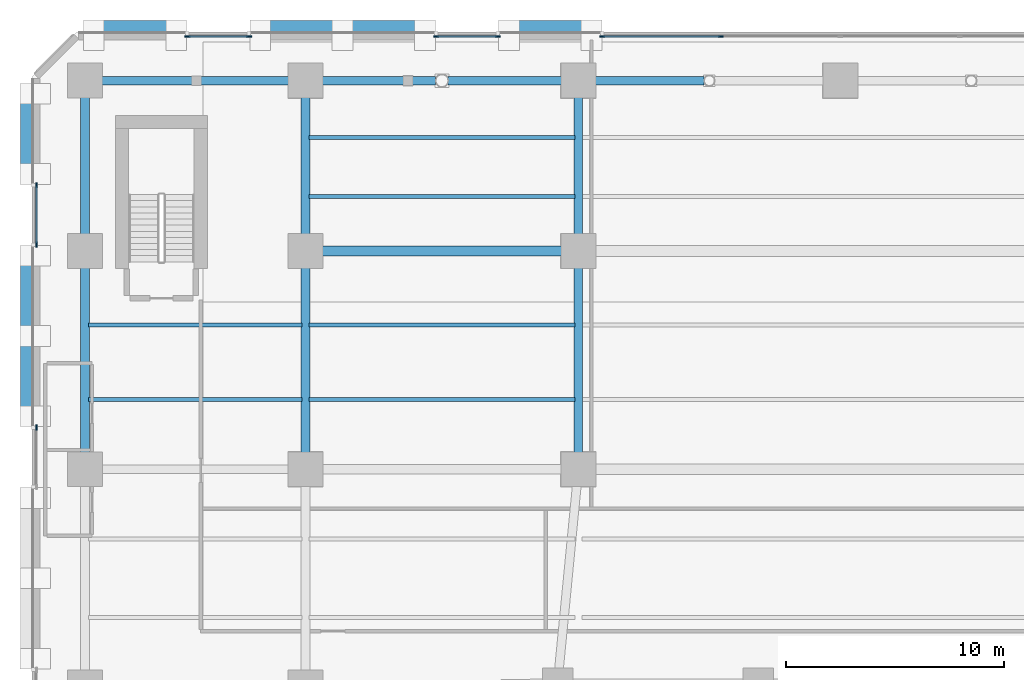
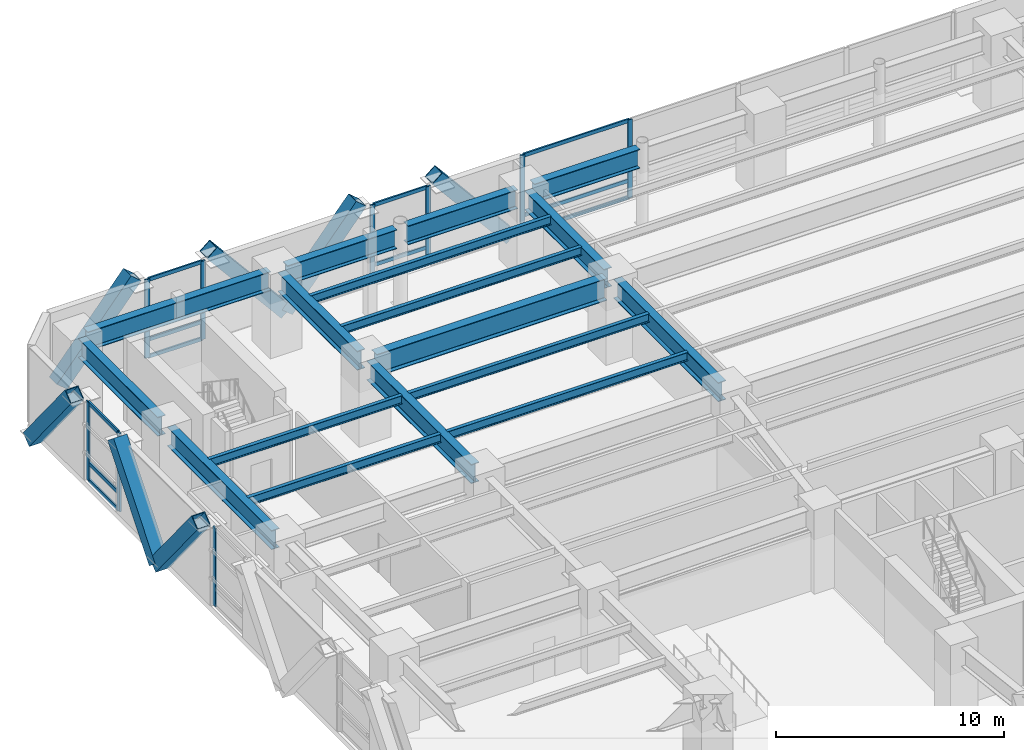
# One storey, part 8 of 26: 28 members, 17 beams, 5 elements without a shape of their own.
"""IFC4 building model written with IfcOpenShell, lengths in metres."""

from ifc_helpers import new_model, si_unit, direction, frame, origin, origin_2d, place, context, subcontext, project, spatial, rectangle, hollow_rectangle, i_section, extrude, material, material_profile, profile_set, type_object, element, aggregate, save


model = new_model("IFC4")

# Units and contexts
model_context = context("Model", 3, precision=1e-05, world=origin(), true_north=direction((0.0, 1.0)))
body_context = subcontext(model_context, "Body", "Model", "MODEL_VIEW")
ifc_project = project(units=[si_unit("LENGTHUNIT", "METRE"), si_unit("AREAUNIT", "SQUARE_METRE"), si_unit("VOLUMEUNIT", "CUBIC_METRE"), si_unit("PLANEANGLEUNIT", "RADIAN"), si_unit("MASSUNIT", "GRAM", prefix="KILO")], contexts=[model_context])

# Site, building, storey
site_placement = place(None, origin())
site = spatial("IfcSite", under=ifc_project, at=site_placement, CompositionType="ELEMENT")
building_placement = place(site_placement, origin())
building = spatial("IfcBuilding", under=site, at=building_placement, Name="Quenlor Broadcast Tower", CompositionType="ELEMENT")
storey_placement = place(building_placement, frame((0.0, 0.0, 5.0)))
storey = spatial("IfcBuildingStorey", under=building, at=storey_placement, Name="L01", CompositionType="ELEMENT", Elevation=5.0)

# Curtain wall, members
ifc_material_1 = material(Name="Architectural Terracotta and Low-E Glazing", Category="masonry")
curtain_wall_type = type_object("IfcCurtainWallType", Name="Station Concourse and Crown Terracotta Curtain Wall", PredefinedType="NOTDEFINED", material=ifc_material_1)
curtain_wall_1_placement = place(storey_placement, origin())
curtain_wall_1 = element("IfcCurtainWall", 1, at=curtain_wall_1_placement, inside=storey, type_object=curtain_wall_type, Name="L01 Curtain Wall CW6 (L01-N-FULL-G1)", PredefinedType="NOTDEFINED")
ifc_material_2 = material(Name="Aluminium 6063-T6", Category="aluminium")
ifc_material_profile_1 = material_profile(ifc_material_2, rectangle(XDim=0.08203125, YDim=0.239990234375, at=origin_2d()))
ifc_profile_set_1 = profile_set([ifc_material_profile_1], Name="Aluminium 6063-T6 MULL82x240")
member_type_1 = type_object("IfcMemberType", Name="CW6 Aluminium Mullion MULL_CW6", PredefinedType="MULLION", material=ifc_profile_set_1)
member_1_placement = place(storey_placement, frame((-29.909423828125, 24.820068359375, 0.0), z_axis=(0.0, 0.0, 1.0), x_axis=(0.0, 1.0, 0.0)))
member_1 = element("IfcMember", 2, at=member_1_placement, type_object=member_type_1, Name="CW6 mullion 1", PredefinedType="MULLION", context=body_context, shape_type="SweptSolid", body=[
    extrude(rectangle(XDim=0.08203125, YDim=0.239990234375, at=origin_2d()), origin(), (0.0, 0.0, 1.0), 4.199951171875),
])
member_2_placement = place(storey_placement, frame((-27.090576171875, 24.820068359375, 0.0), z_axis=(0.0, 0.0, 1.0), x_axis=(0.0, 1.0, 0.0)))
member_2 = element("IfcMember", 3, at=member_2_placement, type_object=member_type_1, Name="CW6 mullion 2", PredefinedType="MULLION", context=body_context, shape_type="SweptSolid", body=[
    extrude(rectangle(XDim=0.08203125, YDim=0.239990234375, at=origin_2d()), origin(), (0.0, 0.0, 1.0), 4.199951171875),
])

curtain_wall_2_placement = place(storey_placement, origin())
curtain_wall_2 = element("IfcCurtainWall", 4, at=curtain_wall_2_placement, inside=storey, type_object=curtain_wall_type, Name="L01 Curtain Wall CW6 (L01-N-FULL-G2)", PredefinedType="NOTDEFINED")
member_3_placement = place(storey_placement, frame((-18.509521484375, 24.820068359375, 0.0), z_axis=(0.0, 0.0, 1.0), x_axis=(0.0, 1.0, 0.0)))
member_3 = element("IfcMember", 5, at=member_3_placement, type_object=member_type_1, Name="CW6 mullion 1", PredefinedType="MULLION", context=body_context, shape_type="SweptSolid", body=[
    extrude(rectangle(XDim=0.08203125, YDim=0.239990234375, at=origin_2d()), origin(), (0.0, 0.0, 1.0), 4.199951171875),
])
member_4_placement = place(storey_placement, frame((-15.6904296875, 24.820068359375, 0.0), z_axis=(0.0, 0.0, 1.0), x_axis=(0.0, 1.0, 0.0)))
member_4 = element("IfcMember", 6, at=member_4_placement, type_object=member_type_1, Name="CW6 mullion 2", PredefinedType="MULLION", context=body_context, shape_type="SweptSolid", body=[
    extrude(rectangle(XDim=0.08203125, YDim=0.239990234375, at=origin_2d()), origin(), (0.0, 0.0, 1.0), 4.199951171875),
])

curtain_wall_3_placement = place(storey_placement, origin())
curtain_wall_3 = element("IfcCurtainWall", 7, at=curtain_wall_3_placement, inside=storey, type_object=curtain_wall_type, Name="L01 Curtain Wall CW6 (L01-N-FULL-G3)", PredefinedType="NOTDEFINED")
member_5_placement = place(storey_placement, frame((-10.909423828125, 24.820068359375, 0.0), z_axis=(0.0, 0.0, 1.0), x_axis=(0.0, 1.0, 0.0)))
member_5 = element("IfcMember", 8, at=member_5_placement, type_object=member_type_1, Name="CW6 mullion 1", PredefinedType="MULLION", context=body_context, shape_type="SweptSolid", body=[
    extrude(rectangle(XDim=0.08203125, YDim=0.239990234375, at=origin_2d()), origin(), (0.0, 0.0, 1.0), 4.199951171875),
])
member_6_placement = place(storey_placement, frame((-5.475341796875, 24.820068359375, 0.0), z_axis=(0.0, 0.0, 1.0), x_axis=(0.0, 1.0, 0.0)))
member_6 = element("IfcMember", 9, at=member_6_placement, type_object=member_type_1, Name="CW6 mullion 2", PredefinedType="MULLION", context=body_context, shape_type="SweptSolid", body=[
    extrude(rectangle(XDim=0.08203125, YDim=0.239990234375, at=origin_2d()), origin(), (0.0, 0.0, 1.0), 4.199951171875),
])

# Curtain wall, member
curtain_wall_4_placement = place(storey_placement, origin())
curtain_wall_4 = element("IfcCurtainWall", 10, at=curtain_wall_4_placement, inside=storey, type_object=curtain_wall_type, Name="L01 Curtain Wall CW6 (L01-W-FULL-G3)", PredefinedType="NOTDEFINED")
member_7_placement = place(storey_placement, frame((-36.820068359375, 6.90625, 0.0), z_axis=(0.0, 0.0, 1.0), x_axis=(-1.0, 0.0, 0.0)))
member_7 = element("IfcMember", 11, at=member_7_placement, type_object=member_type_1, Name="CW6 mullion 2", PredefinedType="MULLION", context=body_context, shape_type="SweptSolid", body=[
    extrude(rectangle(XDim=0.08203125, YDim=0.239990234375, at=origin_2d()), origin(), (0.0, 0.0, 1.0), 4.199951171875),
])
aggregate(curtain_wall_4, [member_7])

# Curtain wall, members
curtain_wall_5_placement = place(storey_placement, origin())
curtain_wall_5 = element("IfcCurtainWall", 12, at=curtain_wall_5_placement, inside=storey, type_object=curtain_wall_type, Name="L01 Curtain Wall CW6 (L01-W-FULL-G4)", PredefinedType="NOTDEFINED")
member_8_placement = place(storey_placement, frame((-36.820068359375, 15.293701171875, 0.0), z_axis=(0.0, 0.0, 1.0), x_axis=(-1.0, 0.0, 0.0)))
member_8 = element("IfcMember", 13, at=member_8_placement, type_object=member_type_1, Name="CW6 mullion 1", PredefinedType="MULLION", context=body_context, shape_type="SweptSolid", body=[
    extrude(rectangle(XDim=0.08203125, YDim=0.239990234375, at=origin_2d()), origin(), (0.0, 0.0, 1.0), 4.199951171875),
])
member_9_placement = place(storey_placement, frame((-36.820068359375, 18.00634765625, 0.0), z_axis=(0.0, 0.0, 1.0), x_axis=(-1.0, 0.0, 0.0)))
member_9 = element("IfcMember", 14, at=member_9_placement, type_object=member_type_1, Name="CW6 mullion 2", PredefinedType="MULLION", context=body_context, shape_type="SweptSolid", body=[
    extrude(rectangle(XDim=0.08203125, YDim=0.239990234375, at=origin_2d()), origin(), (0.0, 0.0, 1.0), 4.199951171875),
])

# Member
ifc_material_3 = material(Name="Aluminium 6063-T6", Category="aluminium")
ifc_material_profile_2 = material_profile(ifc_material_3, rectangle(XDim=0.08203125, YDim=0.195068359375, at=origin_2d()))
ifc_profile_set_2 = profile_set([ifc_material_profile_2], Name="Aluminium 6063-T6 TRAN82x195")
member_type_2 = type_object("IfcMemberType", Name="CW6 Aluminium Transom TRAN_CW6", PredefinedType="USERDEFINED", material=ifc_profile_set_2)
member_10_placement = place(storey_placement, frame((-29.868408203125, 24.820068359375, 0.041015625), z_axis=(1.0, 0.0, 0.0), x_axis=(0.0, 1.0, 0.0)))
member_10 = element("IfcMember", 15, at=member_10_placement, type_object=member_type_2, Name="CW6 transom 1.1", ObjectType="TRANSOM", PredefinedType="USERDEFINED", context=body_context, shape_type="SweptSolid", body=[
    extrude(rectangle(XDim=0.08203125, YDim=0.195068359375, at=origin_2d()), origin(), (0.0, 0.0, 1.0), 2.73681640625),
])

member_11_placement = place(storey_placement, frame((-29.868408203125, 24.820068359375, 0.949951171875), z_axis=(1.0, 0.0, 0.0), x_axis=(0.0, 1.0, 0.0)))
member_11 = element("IfcMember", 16, at=member_11_placement, type_object=member_type_2, Name="CW6 transom 1.2", ObjectType="TRANSOM", PredefinedType="USERDEFINED", context=body_context, shape_type="SweptSolid", body=[
    extrude(rectangle(XDim=0.08203125, YDim=0.195068359375, at=origin_2d()), origin(), (0.0, 0.0, 1.0), 2.73681640625),
])

member_12_placement = place(storey_placement, frame((-29.868408203125, 24.820068359375, 4.158935546875), z_axis=(1.0, 0.0, 0.0), x_axis=(0.0, 1.0, 0.0)))
member_12 = element("IfcMember", 17, at=member_12_placement, type_object=member_type_2, Name="CW6 transom 1.3", ObjectType="TRANSOM", PredefinedType="USERDEFINED", context=body_context, shape_type="SweptSolid", body=[
    extrude(rectangle(XDim=0.08203125, YDim=0.195068359375, at=origin_2d()), origin(), (0.0, 0.0, 1.0), 2.73681640625),
])

aggregate(curtain_wall_1, [member_1, member_2, member_10, member_11, member_12])

member_13_placement = place(storey_placement, frame((-18.468505859375, 24.820068359375, 0.041015625), z_axis=(1.0, 0.0, 0.0), x_axis=(0.0, 1.0, 0.0)))
member_13 = element("IfcMember", 18, at=member_13_placement, type_object=member_type_2, Name="CW6 transom 1.1", ObjectType="TRANSOM", PredefinedType="USERDEFINED", context=body_context, shape_type="SweptSolid", body=[
    extrude(rectangle(XDim=0.08203125, YDim=0.195068359375, at=origin_2d()), origin(), (0.0, 0.0, 1.0), 2.737060546875),
])

member_14_placement = place(storey_placement, frame((-18.468505859375, 24.820068359375, 0.949951171875), z_axis=(1.0, 0.0, 0.0), x_axis=(0.0, 1.0, 0.0)))
member_14 = element("IfcMember", 19, at=member_14_placement, type_object=member_type_2, Name="CW6 transom 1.2", ObjectType="TRANSOM", PredefinedType="USERDEFINED", context=body_context, shape_type="SweptSolid", body=[
    extrude(rectangle(XDim=0.08203125, YDim=0.195068359375, at=origin_2d()), origin(), (0.0, 0.0, 1.0), 2.737060546875),
])

member_15_placement = place(storey_placement, frame((-18.468505859375, 24.820068359375, 4.158935546875), z_axis=(1.0, 0.0, 0.0), x_axis=(0.0, 1.0, 0.0)))
member_15 = element("IfcMember", 20, at=member_15_placement, type_object=member_type_2, Name="CW6 transom 1.3", ObjectType="TRANSOM", PredefinedType="USERDEFINED", context=body_context, shape_type="SweptSolid", body=[
    extrude(rectangle(XDim=0.08203125, YDim=0.195068359375, at=origin_2d()), origin(), (0.0, 0.0, 1.0), 2.737060546875),
])

aggregate(curtain_wall_2, [member_3, member_4, member_13, member_14, member_15])

member_16_placement = place(storey_placement, frame((-10.868408203125, 24.820068359375, 0.041015625), z_axis=(1.0, 0.0, 0.0), x_axis=(0.0, 1.0, 0.0)))
member_16 = element("IfcMember", 21, at=member_16_placement, type_object=member_type_2, Name="CW6 transom 1.1", ObjectType="TRANSOM", PredefinedType="USERDEFINED", context=body_context, shape_type="SweptSolid", body=[
    extrude(rectangle(XDim=0.08203125, YDim=0.195068359375, at=origin_2d()), origin(), (0.0, 0.0, 1.0), 5.35205078125),
])

member_17_placement = place(storey_placement, frame((-10.868408203125, 24.820068359375, 0.949951171875), z_axis=(1.0, 0.0, 0.0), x_axis=(0.0, 1.0, 0.0)))
member_17 = element("IfcMember", 22, at=member_17_placement, type_object=member_type_2, Name="CW6 transom 1.2", ObjectType="TRANSOM", PredefinedType="USERDEFINED", context=body_context, shape_type="SweptSolid", body=[
    extrude(rectangle(XDim=0.08203125, YDim=0.195068359375, at=origin_2d()), origin(), (0.0, 0.0, 1.0), 5.35205078125),
])

member_18_placement = place(storey_placement, frame((-10.868408203125, 24.820068359375, 4.158935546875), z_axis=(1.0, 0.0, 0.0), x_axis=(0.0, 1.0, 0.0)))
member_18 = element("IfcMember", 23, at=member_18_placement, type_object=member_type_2, Name="CW6 transom 1.3", ObjectType="TRANSOM", PredefinedType="USERDEFINED", context=body_context, shape_type="SweptSolid", body=[
    extrude(rectangle(XDim=0.08203125, YDim=0.195068359375, at=origin_2d()), origin(), (0.0, 0.0, 1.0), 5.35205078125),
])

aggregate(curtain_wall_3, [member_5, member_6, member_16, member_17, member_18])

member_19_placement = place(storey_placement, frame((-36.820068359375, 15.334716796875, 0.041015625), z_axis=(0.0, 1.0, 0.0), x_axis=(-1.0, 0.0, 0.0)))
member_19 = element("IfcMember", 24, at=member_19_placement, type_object=member_type_2, Name="CW6 transom 1.1", ObjectType="TRANSOM", PredefinedType="USERDEFINED", context=body_context, shape_type="SweptSolid", body=[
    extrude(rectangle(XDim=0.08203125, YDim=0.195068359375, at=origin_2d()), origin(), (0.0, 0.0, 1.0), 2.630615234375),
])

member_20_placement = place(storey_placement, frame((-36.820068359375, 15.334716796875, 0.949951171875), z_axis=(0.0, 1.0, 0.0), x_axis=(-1.0, 0.0, 0.0)))
member_20 = element("IfcMember", 25, at=member_20_placement, type_object=member_type_2, Name="CW6 transom 1.2", ObjectType="TRANSOM", PredefinedType="USERDEFINED", context=body_context, shape_type="SweptSolid", body=[
    extrude(rectangle(XDim=0.08203125, YDim=0.195068359375, at=origin_2d()), origin(), (0.0, 0.0, 1.0), 2.630615234375),
])

member_21_placement = place(storey_placement, frame((-36.820068359375, 15.334716796875, 4.158935546875), z_axis=(0.0, 1.0, 0.0), x_axis=(-1.0, 0.0, 0.0)))
member_21 = element("IfcMember", 26, at=member_21_placement, type_object=member_type_2, Name="CW6 transom 1.3", ObjectType="TRANSOM", PredefinedType="USERDEFINED", context=body_context, shape_type="SweptSolid", body=[
    extrude(rectangle(XDim=0.08203125, YDim=0.195068359375, at=origin_2d()), origin(), (0.0, 0.0, 1.0), 2.630615234375),
])

aggregate(curtain_wall_5, [member_8, member_9, member_19, member_20, member_21])

# Members
ifc_material_4 = material(Name="Steel S355", Category="steel")
ifc_material_profile_3 = material_profile(ifc_material_4, hollow_rectangle(XDim=0.679931640625, YDim=0.679931640625, WallThickness=0.034912109375, at=origin_2d()))
ifc_profile_set_3 = profile_set([ifc_material_profile_3], Name="Steel S355 RHS680x680x35")
member_type_3 = type_object("IfcMemberType", Name="Perimeter Diagonal Lattice Brace Z1 Steel S355 RHS680x35", PredefinedType="BRACE", material=ifc_profile_set_3)
for number, where, z_axis, x_axis, name in (
    (27, (-34.17724609375, 25.215087890625, -0.1201171875), (0.640626831312, 0.0, 0.767852370578), (0.0, 1.0, 0.0), "L01 Podium Diamond Lattice N-P1S"),
    (28, (-22.82275390625, 25.215087890625, -0.1201171875), (-0.640626831312, 0.0, 0.767852370578), (0.0, -1.0, 0.0), "L01 Podium Diamond Lattice N-P1B"),
    (29, (-22.777099609375, 25.215087890625, -0.1201171875), (0.640626831312, 0.0, 0.767852370578), (0.0, 1.0, 0.0), "L01 Podium Diamond Lattice N-P2S"),
    (30, (-11.4228515625, 25.215087890625, -0.1201171875), (-0.640626831312, 0.0, 0.767852370578), (0.0, -1.0, 0.0), "L01 Podium Diamond Lattice N-P2B"),
):
    element("IfcMember", number, at=place(storey_placement, frame(where, z_axis=z_axis, x_axis=x_axis)), inside=storey, type_object=member_type_3, Name=name, PredefinedType="BRACE", context=body_context, shape_type="SweptSolid", body=[
        extrude(hollow_rectangle(XDim=0.679931640625, YDim=0.679931640625, WallThickness=0.034912109375, at=origin_2d()), origin(), (0.0, 0.0, 1.0), 5.860595703125),
    ])
member_22_placement = place(storey_placement, frame((-37.215087890625, 11.077880859375, -0.1201171875), z_axis=(0.0, -0.630541894648, 0.776155215851), x_axis=(1.0, 0.0, 0.0)))
element("IfcMember", 31, at=member_22_placement, inside=storey, type_object=member_type_3, Name="L01 Podium Diamond Lattice W-P3B", PredefinedType="BRACE", context=body_context, shape_type="SweptSolid", body=[
    extrude(hollow_rectangle(XDim=0.679931640625, YDim=0.679931640625, WallThickness=0.034912109375, at=origin_2d()), origin(), (0.0, 0.0, 1.0), 5.7978515625),
])
for number, where, z_axis, x_axis, name in (
    (32, (-37.215087890625, 11.122314453125, -0.1201171875), (0.0, 0.630516526394, 0.776175824117), (-1.0, 0.0, 0.0), "L01 Podium Diamond Lattice W-P4S"),
    (33, (-37.215087890625, 22.177734375, -0.1201171875), (0.0, -0.630516526394, 0.776175824117), (1.0, 0.0, 0.0), "L01 Podium Diamond Lattice W-P4B"),
):
    element("IfcMember", number, at=place(storey_placement, frame(where, z_axis=z_axis, x_axis=x_axis)), inside=storey, type_object=member_type_3, Name=name, PredefinedType="BRACE", context=body_context, shape_type="SweptSolid", body=[
        extrude(hollow_rectangle(XDim=0.679931640625, YDim=0.679931640625, WallThickness=0.034912109375, at=origin_2d()), origin(), (0.0, 0.0, 1.0), 5.797607421875),
    ])

# Beams
ifc_material_5 = material(Name="Steel S355", Category="steel")
ifc_material_profile_4 = material_profile(ifc_material_5, i_section(OverallWidth=0.39990234375, OverallDepth=1.02392578125, WebThickness=0.01611328125, FlangeThickness=0.031982421875, FilletRadius=0.01611328125, at=origin_2d()))
ifc_profile_set_4 = profile_set([ifc_material_profile_4], Name="Steel S355 1000WB322")
beam_type_1 = type_object("IfcBeamType", Name="Podium Concourse Girder Steel S355 1000WB322", PredefinedType="BEAM", material=ifc_profile_set_4)
beam_1_placement = place(storey_placement, frame((-34.179931640625, 22.800048828125, 3.68798828125), z_axis=(1.0, 0.0, 0.0), x_axis=(0.0, 1.0, 0.0)))
element("IfcBeam", 34, at=beam_1_placement, inside=storey, type_object=beam_type_1, Name="L01 Podium Girder 24", PredefinedType="BEAM", context=body_context, shape_type="SweptSolid", body=[
    extrude(i_section(OverallWidth=0.39990234375, OverallDepth=1.02392578125, WebThickness=0.01611328125, FlangeThickness=0.031982421875, FilletRadius=0.01611328125, at=origin_2d()), origin(), (0.0, 0.0, 1.0), 9.260009765625),
])
for number, where, z_axis, x_axis, name in (
    (35, (-24.080078125, 22.800048828125, 3.68798828125), (1.0, 0.0, 0.0), (0.0, 1.0, 0.0), "L01 Podium Girder 25"),
    (36, (-17.965087890625, 22.800048828125, 3.68798828125), (1.0, 0.0, 0.0), (0.0, 1.0, 0.0), "L01 Podium Girder 26"),
):
    element("IfcBeam", number, at=place(storey_placement, frame(where, z_axis=z_axis, x_axis=x_axis)), inside=storey, type_object=beam_type_1, Name=name, PredefinedType="BEAM", context=body_context, shape_type="SweptSolid", body=[
        extrude(i_section(OverallWidth=0.39990234375, OverallDepth=1.02392578125, WebThickness=0.01611328125, FlangeThickness=0.031982421875, FilletRadius=0.01611328125, at=origin_2d()), origin(), (0.0, 0.0, 1.0), 5.545166015625),
    ])
beam_2_placement = place(storey_placement, frame((-11.580078125, 22.800048828125, 3.68798828125), z_axis=(1.0, 0.0, 0.0), x_axis=(0.0, 1.0, 0.0)))
element("IfcBeam", 37, at=beam_2_placement, inside=storey, type_object=beam_type_1, Name="L01 Podium Girder 27", PredefinedType="BEAM", context=body_context, shape_type="SweptSolid", body=[
    extrude(i_section(OverallWidth=0.39990234375, OverallDepth=1.02392578125, WebThickness=0.01611328125, FlangeThickness=0.031982421875, FilletRadius=0.01611328125, at=origin_2d()), origin(), (0.0, 0.0, 1.0), 5.34619140625),
])
beam_3_placement = place(storey_placement, frame((-34.60009765625, 5.419921875, 3.68798828125), z_axis=(0.0, 1.0, 0.0), x_axis=(-1.0, 0.0, 0.0)))
element("IfcBeam", 38, at=beam_3_placement, inside=storey, type_object=beam_type_1, Name="L01 Podium Girder 37", PredefinedType="BEAM", context=body_context, shape_type="SweptSolid", body=[
    extrude(i_section(OverallWidth=0.39990234375, OverallDepth=1.02392578125, WebThickness=0.01611328125, FlangeThickness=0.031982421875, FilletRadius=0.01611328125, at=origin_2d()), origin(), (0.0, 0.0, 1.0), 9.16015625),
])
beam_4_placement = place(storey_placement, frame((-34.60009765625, 15.419921875, 3.68798828125), z_axis=(0.0, 1.0, 0.0), x_axis=(-1.0, 0.0, 0.0)))
element("IfcBeam", 39, at=beam_4_placement, inside=storey, type_object=beam_type_1, Name="L01 Podium Girder 38", PredefinedType="BEAM", context=body_context, shape_type="SweptSolid", body=[
    extrude(i_section(OverallWidth=0.39990234375, OverallDepth=1.02392578125, WebThickness=0.01611328125, FlangeThickness=0.031982421875, FilletRadius=0.01611328125, at=origin_2d()), origin(), (0.0, 0.0, 1.0), 6.9599609375),
])
beam_5_placement = place(storey_placement, frame((-24.5, 5.419921875, 3.68798828125), z_axis=(0.0, 1.0, 0.0), x_axis=(-1.0, 0.0, 0.0)))
element("IfcBeam", 40, at=beam_5_placement, inside=storey, type_object=beam_type_1, Name="L01 Podium Girder 42", PredefinedType="BEAM", context=body_context, shape_type="SweptSolid", body=[
    extrude(i_section(OverallWidth=0.39990234375, OverallDepth=1.02392578125, WebThickness=0.01611328125, FlangeThickness=0.031982421875, FilletRadius=0.01611328125, at=origin_2d()), origin(), (0.0, 0.0, 1.0), 9.16015625),
])
beam_6_placement = place(storey_placement, frame((-24.5, 15.419921875, 3.68798828125), z_axis=(0.0, 1.0, 0.0), x_axis=(-1.0, 0.0, 0.0)))
element("IfcBeam", 41, at=beam_6_placement, inside=storey, type_object=beam_type_1, Name="L01 Podium Girder 43", PredefinedType="BEAM", context=body_context, shape_type="SweptSolid", body=[
    extrude(i_section(OverallWidth=0.39990234375, OverallDepth=1.02392578125, WebThickness=0.01611328125, FlangeThickness=0.031982421875, FilletRadius=0.01611328125, at=origin_2d()), origin(), (0.0, 0.0, 1.0), 6.9599609375),
])
beam_7_placement = place(storey_placement, frame((-12.0, 5.419921875, 3.68798828125), z_axis=(0.0, 1.0, 0.0), x_axis=(-1.0, 0.0, 0.0)))
element("IfcBeam", 42, at=beam_7_placement, inside=storey, type_object=beam_type_1, Name="L01 Podium Girder 54", PredefinedType="BEAM", context=body_context, shape_type="SweptSolid", body=[
    extrude(i_section(OverallWidth=0.39990234375, OverallDepth=1.02392578125, WebThickness=0.01611328125, FlangeThickness=0.031982421875, FilletRadius=0.01611328125, at=origin_2d()), origin(), (0.0, 0.0, 1.0), 9.16015625),
])
beam_8_placement = place(storey_placement, frame((-12.0, 15.419921875, 3.68798828125), z_axis=(0.0, 1.0, 0.0), x_axis=(-1.0, 0.0, 0.0)))
element("IfcBeam", 43, at=beam_8_placement, inside=storey, type_object=beam_type_1, Name="L01 Podium Girder 55", PredefinedType="BEAM", context=body_context, shape_type="SweptSolid", body=[
    extrude(i_section(OverallWidth=0.39990234375, OverallDepth=1.02392578125, WebThickness=0.01611328125, FlangeThickness=0.031982421875, FilletRadius=0.01611328125, at=origin_2d()), origin(), (0.0, 0.0, 1.0), 6.9599609375),
])
ifc_material_6 = material(Name="Steel S355", Category="steel")
ifc_material_profile_5 = material_profile(ifc_material_6, i_section(OverallWidth=0.18994140625, OverallDepth=0.453857421875, WebThickness=0.008544921875, FlangeThickness=0.0126953125, FilletRadius=0.011474609375, at=origin_2d()))
ifc_profile_set_5 = profile_set([ifc_material_profile_5], Name="Steel S355 460UB67.1")
beam_type_2 = type_object("IfcBeamType", Name="Podium Floor Joist Steel S355 460UB67.1", PredefinedType="JOIST", material=ifc_profile_set_5)
beam_9_placement = place(storey_placement, frame((-34.43994140625, 8.199951171875, 3.97314453125), z_axis=(1.0, 0.0, 0.0), x_axis=(0.0, 1.0, 0.0)))
element("IfcBeam", 44, at=beam_9_placement, inside=storey, type_object=beam_type_2, Name="L01 Podium Floor Joist 1", PredefinedType="JOIST", context=body_context, shape_type="SweptSolid", body=[
    extrude(i_section(OverallWidth=0.18994140625, OverallDepth=0.453857421875, WebThickness=0.008544921875, FlangeThickness=0.0126953125, FilletRadius=0.011474609375, at=origin_2d()), origin(), (0.0, 0.0, 1.0), 9.780029296875),
])
beam_10_placement = place(storey_placement, frame((-24.340087890625, 8.199951171875, 3.97314453125), z_axis=(1.0, 0.0, 0.0), x_axis=(0.0, 1.0, 0.0)))
element("IfcBeam", 45, at=beam_10_placement, inside=storey, type_object=beam_type_2, Name="L01 Podium Floor Joist 2", PredefinedType="JOIST", context=body_context, shape_type="SweptSolid", body=[
    extrude(i_section(OverallWidth=0.18994140625, OverallDepth=0.453857421875, WebThickness=0.008544921875, FlangeThickness=0.0126953125, FilletRadius=0.011474609375, at=origin_2d()), origin(), (0.0, 0.0, 1.0), 12.18017578125),
])
beam_11_placement = place(storey_placement, frame((-34.43994140625, 11.60009765625, 3.97314453125), z_axis=(1.0, 0.0, 0.0), x_axis=(0.0, 1.0, 0.0)))
element("IfcBeam", 46, at=beam_11_placement, inside=storey, type_object=beam_type_2, Name="L01 Podium Floor Joist 6", PredefinedType="JOIST", context=body_context, shape_type="SweptSolid", body=[
    extrude(i_section(OverallWidth=0.18994140625, OverallDepth=0.453857421875, WebThickness=0.008544921875, FlangeThickness=0.0126953125, FilletRadius=0.011474609375, at=origin_2d()), origin(), (0.0, 0.0, 1.0), 9.780029296875),
])
for number, where, z_axis, x_axis, name in (
    (47, (-24.340087890625, 11.60009765625, 3.97314453125), (1.0, 0.0, 0.0), (0.0, 1.0, 0.0), "L01 Podium Floor Joist 7"),
    (48, (-24.340087890625, 17.5, 3.97314453125), (1.0, 0.0, 0.0), (0.0, 1.0, 0.0), "L01 Podium Floor Joist 12"),
    (49, (-24.340087890625, 20.199951171875, 3.97314453125), (1.0, 0.0, 0.0), (0.0, 1.0, 0.0), "L01 Podium Floor Joist 17"),
):
    element("IfcBeam", number, at=place(storey_placement, frame(where, z_axis=z_axis, x_axis=x_axis)), inside=storey, type_object=beam_type_2, Name=name, PredefinedType="JOIST", context=body_context, shape_type="SweptSolid", body=[
        extrude(i_section(OverallWidth=0.18994140625, OverallDepth=0.453857421875, WebThickness=0.008544921875, FlangeThickness=0.0126953125, FilletRadius=0.011474609375, at=origin_2d()), origin(), (0.0, 0.0, 1.0), 12.18017578125),
    ])
ifc_material_7 = material(Name="Steel S355", Category="steel")
ifc_material_profile_6 = material_profile(ifc_material_7, i_section(OverallWidth=0.449951171875, OverallDepth=1.18798828125, WebThickness=0.01806640625, FlangeThickness=0.031982421875, FilletRadius=0.01611328125, at=origin_2d()))
ifc_profile_set_6 = profile_set([ifc_material_profile_6], Name="Steel S355 1200WB392")
beam_type_3 = type_object("IfcBeamType", Name="Podium Secondary Studio Girder Steel S355 1200WB392", PredefinedType="BEAM", material=ifc_profile_set_6)
beam_12_placement = place(storey_placement, frame((-24.080078125, 15.0, 3.60595703125), z_axis=(1.0, 0.0, 0.0), x_axis=(0.0, 1.0, 0.0)))
element("IfcBeam", 50, at=beam_12_placement, inside=storey, type_object=beam_type_3, Name="L01 Podium Girder 20", PredefinedType="BEAM", context=body_context, shape_type="SweptSolid", body=[
    extrude(i_section(OverallWidth=0.449951171875, OverallDepth=1.18798828125, WebThickness=0.01806640625, FlangeThickness=0.031982421875, FilletRadius=0.01611328125, at=origin_2d()), origin(), (0.0, 0.0, 1.0), 11.66015625),
])

save(model, "model.ifc")
